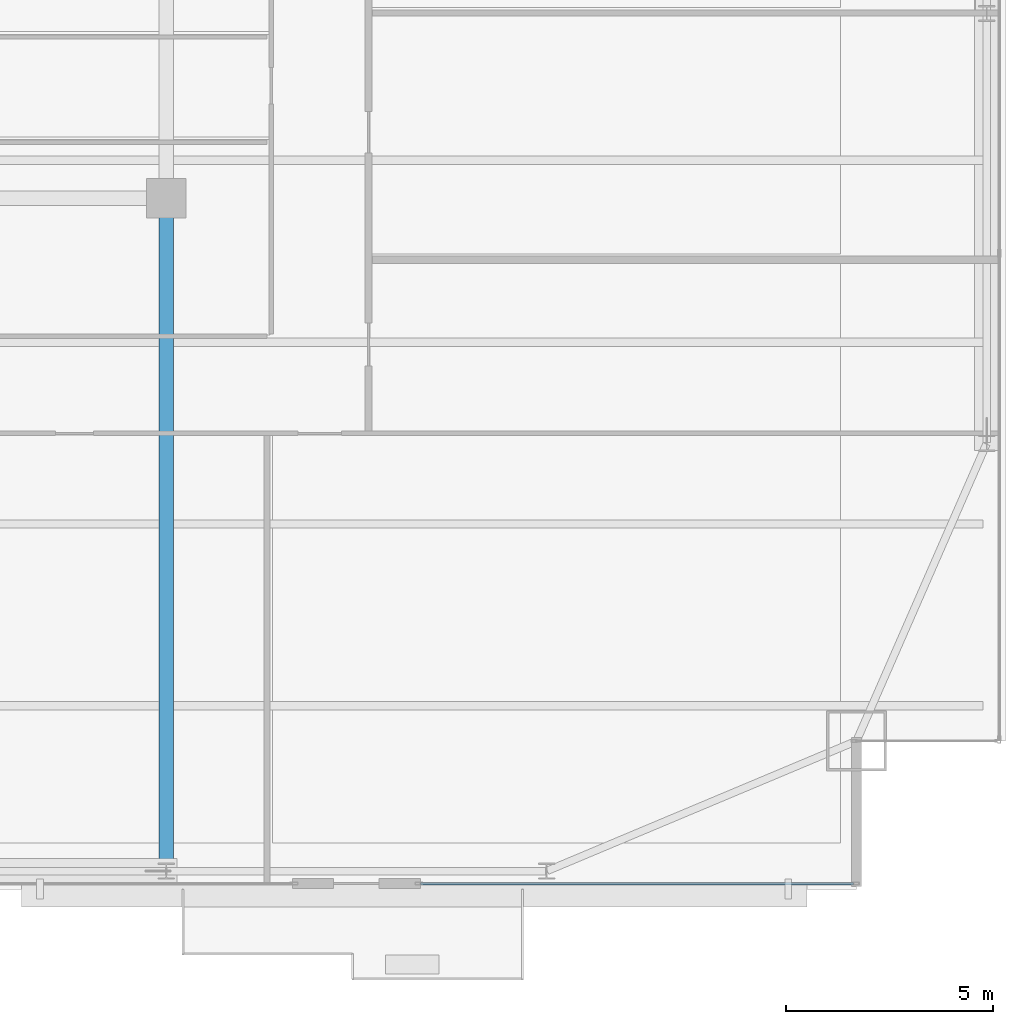
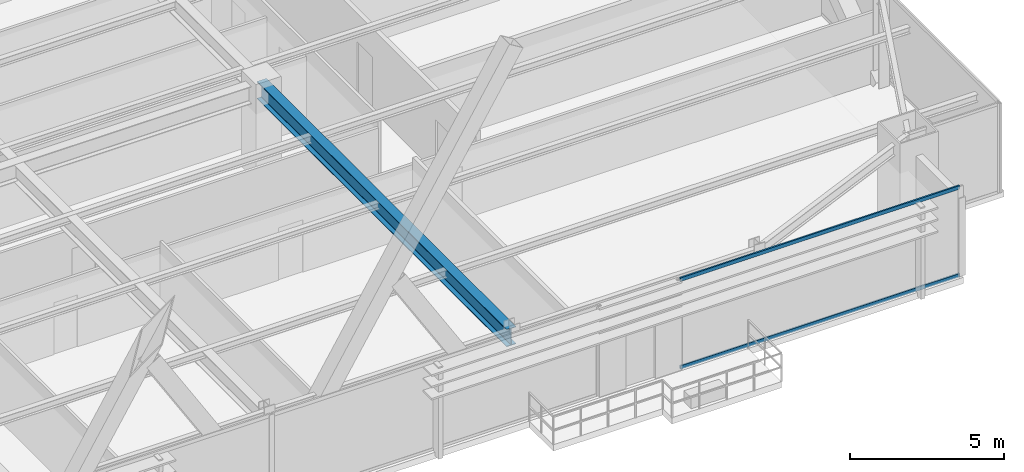
# One storey, part 14 of 37: 2 members, 1 beam, 1 element without a shape of its own.
"""IFC4 building model written with IfcOpenShell, lengths in metres."""

from ifc_helpers import new_model, si_unit, direction, frame, origin, origin_2d, place, context, subcontext, project, spatial, hollow_rectangle, i_section, extrude, source, transform, mapped, material, layer, layer_set, material_profile, profile_set, type_object, type_shapes, element, aggregate, save


model = new_model("IFC4")

# Units and contexts
model_context = context("Model", 3, precision=1e-05, world=origin(), true_north=direction((0.0, 1.0)))
body_context = subcontext(model_context, "Body", "Model", "MODEL_VIEW")
ifc_project = project(units=[si_unit("LENGTHUNIT", "METRE"), si_unit("AREAUNIT", "SQUARE_METRE"), si_unit("VOLUMEUNIT", "CUBIC_METRE"), si_unit("PLANEANGLEUNIT", "RADIAN"), si_unit("MASSUNIT", "GRAM", prefix="KILO")], contexts=[model_context])

# Site, building, storey
site_placement = place(None, origin())
site = spatial("IfcSite", under=ifc_project, at=site_placement, CompositionType="ELEMENT")
building_placement = place(site_placement, origin())
building = spatial("IfcBuilding", under=site, at=building_placement, Name="Varnel Quay Broadcast Tower", CompositionType="ELEMENT")
storey_placement = place(building_placement, frame((0.0, 0.0, 103.0)))
storey = spatial("IfcBuildingStorey", under=building, at=storey_placement, Name="L24", CompositionType="ELEMENT", Elevation=103.0)

# Beam
ifc_material_1 = material(Name="Structural Steel CSA G40.21 350W", Category="steel")
ifc_material_profile_1 = material_profile(ifc_material_1, i_section(OverallWidth=0.35498046875, OverallDepth=0.695068359375, WebThickness=0.015380859375, FlangeThickness=0.02490234375, FilletRadius=0.01806640625, at=origin_2d()), Name="W690X217")
ifc_profile_set_1 = profile_set([ifc_material_profile_1], Name="Structural Steel CSA G40.21 350W")
beam_type = type_object("IfcBeamType", Name="Girder_W690X217", PredefinedType="BEAM", material=ifc_profile_set_1)
shared_shape_1 = source(origin(), body_context, "Body", "SweptSolid", [
    extrude(i_section(OverallWidth=0.35498046875, OverallDepth=0.695068359375, WebThickness=0.015380859375, FlangeThickness=0.02490234375, FilletRadius=0.01806640625, at=origin_2d()), origin(), (0.0, 0.0, 1.0), 16.239990234375),
])
type_shapes(beam_type, [shared_shape_1])
beam_placement = place(storey_placement, frame((43.199951171875, 4.669921875, 3.202392578125), z_axis=(0.0, 1.0, 0.0), x_axis=(-1.0, 0.0, 0.0)))
element("IfcBeam", 1, at=beam_placement, inside=storey, type_object=beam_type, Name="L24 Primary Girder TC-S4-IC-02", PredefinedType="BEAM", context=body_context, shape_type="MappedRepresentation", body=[
    mapped(shared_shape_1, transform((0.0, 0.0, 0.0), x_axis=(1.0, 0.0, 0.0), y_axis=(0.0, 1.0, 0.0), z_axis=(0.0, 0.0, 1.0), scale=1.0)),
])

# Curtain wall, members
ifc_material_2 = material(Name="Anodised Bronze Aluminium 6063-T6", Category="aluminium")
ifc_layer = layer(ifc_material_2, 0.18994140625, Name="Anodised Bronze Aluminium 6063-T6")
ifc_layer_set = layer_set([ifc_layer], Name="Anodised Bronze Aluminium 6063-T6")
curtain_wall_type = type_object("IfcCurtainWallType", Name="CW_LowerTower", PredefinedType="NOTDEFINED", material=ifc_layer_set)
curtain_wall_placement = place(storey_placement, origin())
curtain_wall = element("IfcCurtainWall", 2, at=curtain_wall_placement, inside=storey, type_object=curtain_wall_type, Name="L24 South Unitised Curtain Wall 3", PredefinedType="NOTDEFINED")
ifc_material_profile_2 = material_profile(ifc_material_2, hollow_rectangle(XDim=0.06005859375, YDim=0.14501953125, WallThickness=0.00341796875, at=origin_2d()), Name="ALU60X145X3.5")
ifc_profile_set_2 = profile_set([ifc_material_profile_2], Name="Anodised Bronze Aluminium 6063-T6")
member_type = type_object("IfcMemberType", Name="Tran_CWS-02", PredefinedType="USERDEFINED", material=ifc_profile_set_2)
shared_shape_2 = source(origin(), body_context, "Body", "SweptSolid", [
    extrude(hollow_rectangle(XDim=0.06005859375, YDim=0.14501953125, WallThickness=0.00341796875, at=origin_2d()), origin(), (0.0, 0.0, 1.0), 10.47998046875),
])
type_shapes(member_type, [shared_shape_2])
member_1_placement = place(storey_placement, frame((49.35009765625, 4.35009765625, 0.030029296875), z_axis=(1.0, 0.0, 0.0), x_axis=(0.0, 1.0, 0.0)))
member_1 = element("IfcMember", 3, at=member_1_placement, type_object=member_type, Name="CWS-02 transom 1.1", ObjectType="TRANSOM", PredefinedType="USERDEFINED", context=body_context, shape_type="MappedRepresentation", body=[
    mapped(shared_shape_2, transform((0.0, 0.0, 0.0), x_axis=(1.0, 0.0, 0.0), y_axis=(0.0, 1.0, 0.0), z_axis=(0.0, 0.0, 1.0), scale=1.0)),
])
member_2_placement = place(storey_placement, frame((49.35009765625, 4.35009765625, 3.52001953125), z_axis=(1.0, 0.0, 0.0), x_axis=(0.0, 1.0, 0.0)))
member_2 = element("IfcMember", 4, at=member_2_placement, type_object=member_type, Name="CWS-02 transom 1.2", ObjectType="TRANSOM", PredefinedType="USERDEFINED", context=body_context, shape_type="MappedRepresentation", body=[
    mapped(shared_shape_2, transform((0.0, 0.0, 0.0), x_axis=(1.0, 0.0, 0.0), y_axis=(0.0, 1.0, 0.0), z_axis=(0.0, 0.0, 1.0), scale=1.0)),
])
aggregate(curtain_wall, [member_1, member_2])

save(model, "model.ifc")
